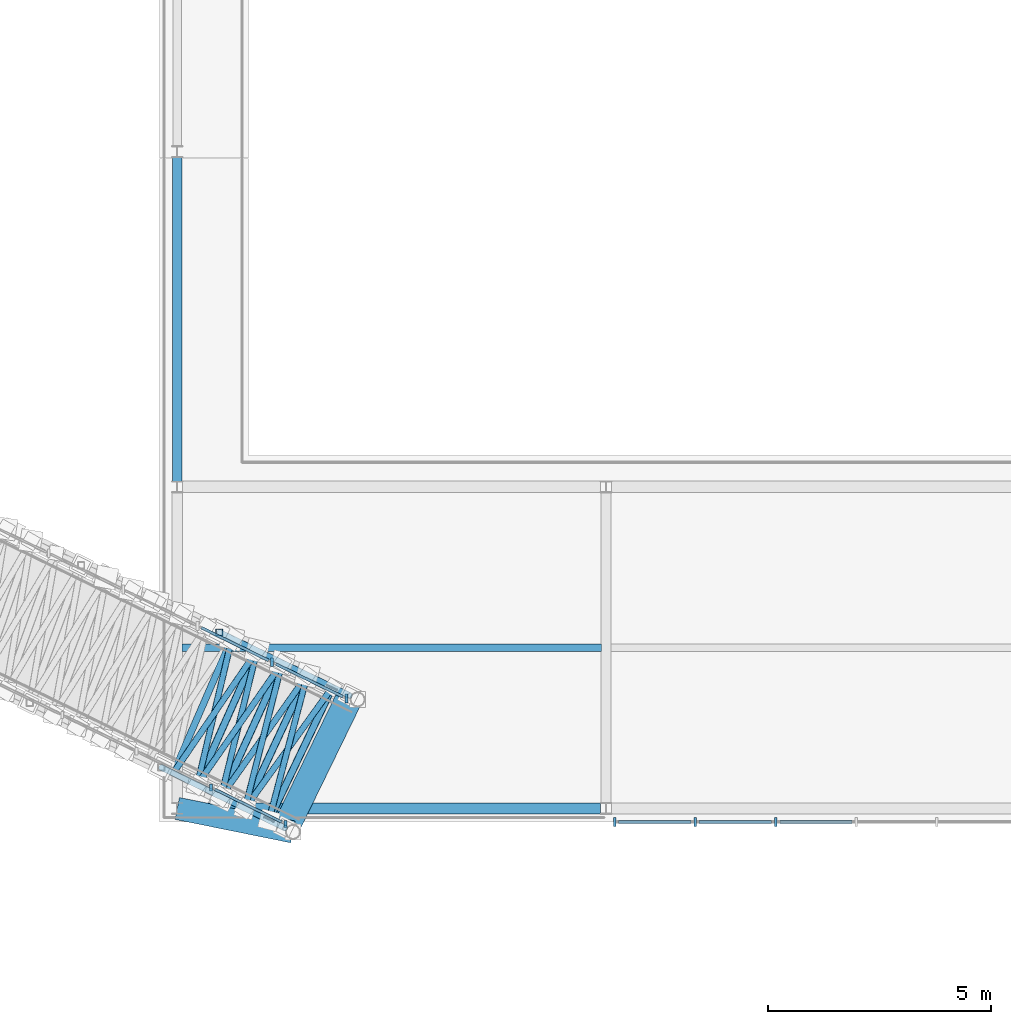
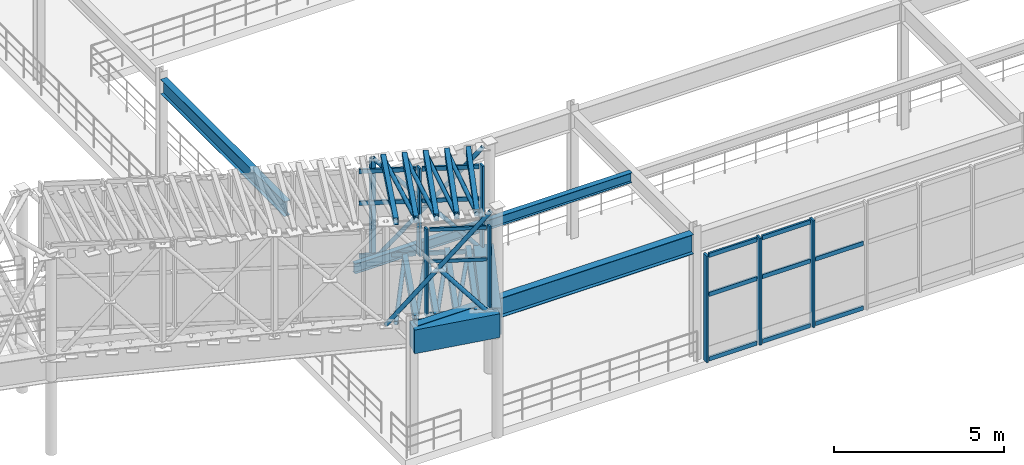
# One storey, part 66 of 144: 43 members, 9 beams, 3 elements without a shape of their own.
"""IFC4 building model written with IfcOpenShell, lengths in metres."""

from ifc_helpers import new_model, si_unit, direction, frame, origin, origin_2d, place, context, subcontext, project, spatial, rectangle, hollow_rectangle, hollow_circle, i_section, extrude, material, material_profile, profile_set, type_object, element, aggregate, save


model = new_model("IFC4")

# Units and contexts
model_context = context("Model", 3, precision=1e-05, world=origin(), true_north=direction((0.0, 1.0)))
body_context = subcontext(model_context, "Body", "Model", "MODEL_VIEW")
ifc_project = project(units=[si_unit("LENGTHUNIT", "METRE"), si_unit("AREAUNIT", "SQUARE_METRE"), si_unit("VOLUMEUNIT", "CUBIC_METRE"), si_unit("PLANEANGLEUNIT", "RADIAN"), si_unit("MASSUNIT", "GRAM", prefix="KILO")], contexts=[model_context])

# Site, building, storey
site_placement = place(None, origin())
site = spatial("IfcSite", under=ifc_project, at=site_placement, CompositionType="ELEMENT")
building_placement = place(site_placement, origin())
building = spatial("IfcBuilding", under=site, at=building_placement, Name="Cinderbank Siding Concert Hall", CompositionType="ELEMENT")
storey_placement = place(building_placement, frame((0.0, 0.0, 5.39990234375)))
storey = spatial("IfcBuildingStorey", under=building, at=storey_placement, Name="L02", CompositionType="ELEMENT", Elevation=5.39990234375)

# Beams
ifc_material_1 = material(Name="Reinforced concrete AS 3600 N50 (50 MPa)", Category="concrete")
ifc_material_profile_1 = material_profile(ifc_material_1, rectangle(XDim=0.5, YDim=0.85009765625, at=origin_2d()), Name="RC-BM-500x850", Category="LoadBearing")
ifc_profile_set_1 = profile_set([ifc_material_profile_1], Name="Reinforced concrete AS 3600 N50 (50 MPa)")
beam_type_1 = type_object("IfcBeamType", Name="BM-RC850 RC-BM-500x850", PredefinedType="BEAM", material=ifc_profile_set_1)
beam_1_placement = place(storey_placement, frame((120.989013671875, 88.074951171875, 4.09521484375), z_axis=(-0.980043898034, 0.198781181016, 0.0), x_axis=(-0.198781181016, -0.980043898034, 0.0)))
element("IfcBeam", 1, at=beam_1_placement, inside=storey, type_object=beam_type_1, Name="L02 Bridge Seat Corbel Beam BM-RC850 #2112", PredefinedType="BEAM", context=body_context, shape_type="SweptSolid", body=[
    extrude(rectangle(XDim=0.5, YDim=0.85009765625, at=origin_2d()), origin(), (0.0, 0.0, 1.0), 2.641845703125),
])
ifc_material_2 = material(Name="Structural steel AS/NZS 3679.1 Grade 350 (340 MPa)", Category="steel")
ifc_material_profile_2 = material_profile(ifc_material_2, i_section(OverallWidth=0.208984375, OverallDepth=0.5283203125, WebThickness=0.009521484375, FlangeThickness=0.01318359375, at=origin_2d()), Name="530UB82.0", Category="LoadBearing")
ifc_profile_set_2 = profile_set([ifc_material_profile_2], Name="Structural steel AS/NZS 3679.1 Grade 350 (340 MPa)")
beam_type_2 = type_object("IfcBeamType", Name="BM-UB530 530UB82.0", PredefinedType="BEAM", material=ifc_profile_set_2)
beam_2_placement = place(storey_placement, frame((118.39990234375, 95.919921875, 4.278076171875), z_axis=(0.0, 1.0, 0.0), x_axis=(-1.0, 0.0, 0.0)))
element("IfcBeam", 2, at=beam_2_placement, inside=storey, type_object=beam_type_2, Name="L02 Beam BM-UB530 #1531", PredefinedType="BEAM", context=body_context, shape_type="SweptSolid", body=[
    extrude(i_section(OverallWidth=0.208984375, OverallDepth=0.5283203125, WebThickness=0.009521484375, FlangeThickness=0.01318359375, at=origin_2d()), origin(), (0.0, 0.0, 1.0), 7.260009765625),
])
ifc_material_3 = material(Name="Structural steel welded plate section AS/NZS 3679.2 / AS/NZS 3678 Grade 350 (340 MPa)", Category="steel")
ifc_material_profile_3 = material_profile(ifc_material_3, i_section(OverallWidth=0.25, OverallDepth=0.699951171875, WebThickness=0.010009765625, FlangeThickness=0.01611328125, at=origin_2d()), Name="700WB130", Category="LoadBearing")
ifc_profile_set_3 = profile_set([ifc_material_profile_3], Name="Structural steel welded plate section AS/NZS 3679.2 / AS/NZS 3678 Grade 350 (340 MPa)")
beam_type_3 = type_object("IfcBeamType", Name="BM-WB700 700WB130", PredefinedType="BEAM", material=ifc_profile_set_3)
beam_3_placement = place(storey_placement, frame((118.52001953125, 88.60009765625, 4.192138671875), z_axis=(1.0, 0.0, 0.0), x_axis=(0.0, 1.0, 0.0)))
element("IfcBeam", 3, at=beam_3_placement, inside=storey, type_object=beam_type_3, Name="L02 Beam BM-WB700 #1528", PredefinedType="BEAM", context=body_context, shape_type="SweptSolid", body=[
    extrude(i_section(OverallWidth=0.25, OverallDepth=0.699951171875, WebThickness=0.010009765625, FlangeThickness=0.01611328125, at=origin_2d()), origin(), (0.0, 0.0, 1.0), 9.35986328125),
])

# Members
ifc_material_4 = material(Name="Structural steel hollow section AS/NZS 1163 Grade C350L0 (350 MPa)", Category="steel")
ifc_material_profile_4 = material_profile(ifc_material_4, hollow_circle(Radius=0.06982421875, WallThickness=0.00634765625, at=origin_2d()), Name="139.7x6.4CHS", Category="LoadBearing")
ifc_profile_set_4 = profile_set([ifc_material_profile_4], Name="Structural steel hollow section AS/NZS 1163 Grade C350L0 (350 MPa)")
member_type_1 = type_object("IfcMemberType", Name="BR-CHS139 139.7x6.4CHS Roof Truss", PredefinedType="BRACE", material=ifc_profile_set_4)
member_1_placement = place(storey_placement, frame((119.342041015625, 92.541748046875, 4.110107421875), z_axis=(0.573514852568, -0.278230392893, 0.770498904837), x_axis=(0.436480008044, 0.899713955976, 0.0)))
element("IfcMember", 4, at=member_1_placement, inside=storey, type_object=member_type_1, Name="L02 Diagonal Brace BR-CHS139 #BRDL-BR-CHS139-L02-0449", PredefinedType="BRACE", context=body_context, shape_type="SweptSolid", body=[
    extrude(hollow_circle(Radius=0.06982421875, WallThickness=0.00634765625, at=origin_2d()), origin(), (0.0, 0.0, 1.0), 5.096435546875),
])
for number, where, z_axis, x_axis, name in (
    (5, (119.342041015625, 92.541748046875, 7.81005859375), (0.614606625924, -0.298106946165, -0.730336185614), (0.436410824374, 0.899747515901, 0.0), "L02 Diagonal Brace BR-CHS139 #BRDL-BR-CHS139-L02-0450"),
    (6, (120.812744140625, 91.828369140625, 6.0625), (0.614587691557, -0.298201089078, -0.730313685932), (0.436533271332, 0.899688114304, 0.0), "L02 Diagonal Brace BR-CHS139 #BRDL-BR-CHS139-L02-0450-S52"),
):
    element("IfcMember", number, at=place(storey_placement, frame(where, z_axis=z_axis, x_axis=x_axis)), inside=storey, type_object=member_type_1, Name=name, PredefinedType="BRACE", context=body_context, shape_type="SweptSolid", body=[
        extrude(hollow_circle(Radius=0.06982421875, WallThickness=0.00634765625, at=origin_2d()), origin(), (0.0, 0.0, 1.0), 2.36279296875),
    ])
member_2_placement = place(storey_placement, frame((118.043212890625, 89.520263671875, 4.110107421875), z_axis=(0.555373819787, -0.272483486668, 0.785692477874), x_axis=(0.440471837187, 0.89776642878, 0.0)))
element("IfcMember", 7, at=member_2_placement, inside=storey, type_object=member_type_1, Name="L02 Diagonal Brace BR-CHS139 #BRDR-BR-CHS139-L02-0461", PredefinedType="BRACE", context=body_context, shape_type="SweptSolid", body=[
    extrude(hollow_circle(Radius=0.06982421875, WallThickness=0.00634765625, at=origin_2d()), origin(), (0.0, 0.0, 1.0), 4.996826171875),
])
member_3_placement = place(storey_placement, frame((119.439697265625, 88.835205078125, 6.06201171875), z_axis=(0.596780400284, -0.292841949564, -0.74705873023), x_axis=(0.440524117547, 0.897740776538, 0.0)))
element("IfcMember", 8, at=member_3_placement, inside=storey, type_object=member_type_1, Name="L02 Diagonal Brace BR-CHS139 #BRDR-BR-CHS139-L02-0462-S56", PredefinedType="BRACE", context=body_context, shape_type="SweptSolid", body=[
    extrude(hollow_circle(Radius=0.06982421875, WallThickness=0.00634765625, at=origin_2d()), origin(), (0.0, 0.0, 1.0), 2.31005859375),
])
member_4_placement = place(storey_placement, frame((118.31103515625, 89.388916015625, 4.161865234375), z_axis=(0.56412669858, 0.82558351851, 0.013149977737), x_axis=(-0.82565490851, 0.564175479841, 0.0)))
element("IfcMember", 9, at=member_4_placement, inside=storey, type_object=member_type_1, Name="L02 Diagonal Brace BR-CHS139 #BRST-BR-CHS139-L02-0513", PredefinedType="BRACE", context=body_context, shape_type="SweptSolid", body=[
    extrude(hollow_circle(Radius=0.06982421875, WallThickness=0.00634765625, at=origin_2d()), origin(), (0.0, 0.0, 1.0), 3.3232421875),
])
member_5_placement = place(storey_placement, frame((119.623291015625, 92.4052734375, 7.802001953125), z_axis=(-0.230445200668, -0.972998896626, 0.012967523081), x_axis=(0.973080715064, -0.230464578559, 0.0)))
element("IfcMember", 10, at=member_5_placement, inside=storey, type_object=member_type_1, Name="L02 Diagonal Brace BR-CHS139 #BRXR-BR-CHS139-L02-0514", PredefinedType="BRACE", context=body_context, shape_type="SweptSolid", body=[
    extrude(hollow_circle(Radius=0.06982421875, WallThickness=0.00634765625, at=origin_2d()), origin(), (0.0, 0.0, 1.0), 3.3701171875),
])
member_6_placement = place(storey_placement, frame((118.8466796875, 89.126220703125, 4.20556640625), z_axis=(0.571038940986, 0.820818074628, 0.013123118556), x_axis=(-0.82088876286, 0.571088118428, 0.0)))
element("IfcMember", 11, at=member_6_placement, inside=storey, type_object=member_type_1, Name="L02 Diagonal Brace BR-CHS139 #BRST-BR-CHS139-L02-0516", PredefinedType="BRACE", context=body_context, shape_type="SweptSolid", body=[
    extrude(hollow_circle(Radius=0.06982421875, WallThickness=0.00634765625, at=origin_2d()), origin(), (0.0, 0.0, 1.0), 3.330078125),
])
member_7_placement = place(storey_placement, frame((120.185791015625, 92.132568359375, 7.845703125), z_axis=(-0.238708820054, -0.971005409884, 0.012907099019), x_axis=(0.971086301443, -0.238728706172, 0.0)))
element("IfcMember", 12, at=member_7_placement, inside=storey, type_object=member_type_1, Name="L02 Diagonal Brace BR-CHS139 #BRXR-BR-CHS139-L02-0517", PredefinedType="BRACE", context=body_context, shape_type="SweptSolid", body=[
    extrude(hollow_circle(Radius=0.06982421875, WallThickness=0.00634765625, at=origin_2d()), origin(), (0.0, 0.0, 1.0), 3.366943359375),
])
member_8_placement = place(storey_placement, frame((119.382080078125, 88.86328125, 4.249267578125), z_axis=(0.577897298944, 0.81600561642, 0.013020977115), x_axis=(-0.816074800398, 0.577946295217, 0.0)))
element("IfcMember", 13, at=member_8_placement, inside=storey, type_object=member_type_1, Name="L02 Diagonal Brace BR-CHS139 #BRST-BR-CHS139-L02-0519", PredefinedType="BRACE", context=body_context, shape_type="SweptSolid", body=[
    extrude(hollow_circle(Radius=0.06982421875, WallThickness=0.00634765625, at=origin_2d()), origin(), (0.0, 0.0, 1.0), 3.33740234375),
])
member_9_placement = place(storey_placement, frame((120.748291015625, 91.859619140625, 7.88916015625), z_axis=(-0.246936080715, -0.968944662396, 0.012992815534), x_axis=(0.969026458104, -0.246956926397, 0.0)))
element("IfcMember", 14, at=member_9_placement, inside=storey, type_object=member_type_1, Name="L02 Diagonal Brace BR-CHS139 #BRXR-BR-CHS139-L02-0520", PredefinedType="BRACE", context=body_context, shape_type="SweptSolid", body=[
    extrude(hollow_circle(Radius=0.06982421875, WallThickness=0.00634765625, at=origin_2d()), origin(), (0.0, 0.0, 1.0), 3.363525390625),
])
member_10_placement = place(storey_placement, frame((119.917724609375, 88.6005859375, 4.292724609375), z_axis=(0.584683537099, 0.811156264051, 0.013064330688), x_axis=(-0.811225495665, 0.584733439426, 0.0)))
element("IfcMember", 15, at=member_10_placement, inside=storey, type_object=member_type_1, Name="L02 Diagonal Brace BR-CHS139 #BRST-BR-CHS139-L02-0522", PredefinedType="BRACE", context=body_context, shape_type="SweptSolid", body=[
    extrude(hollow_circle(Radius=0.06982421875, WallThickness=0.00634765625, at=origin_2d()), origin(), (0.0, 0.0, 1.0), 3.344970703125),
])
member_11_placement = place(storey_placement, frame((121.310791015625, 91.586669921875, 7.932861328125), z_axis=(-0.255161927837, -0.966810869513, 0.013005121037), x_axis=(0.966892639781, -0.255183508748, 0.0)))
element("IfcMember", 16, at=member_11_placement, inside=storey, type_object=member_type_1, Name="L02 Diagonal Brace BR-CHS139 #BRXR-BR-CHS139-L02-0523", PredefinedType="BRACE", context=body_context, shape_type="SweptSolid", body=[
    extrude(hollow_circle(Radius=0.06982421875, WallThickness=0.00634765625, at=origin_2d()), origin(), (0.0, 0.0, 1.0), 3.3603515625),
])
ifc_material_profile_5 = material_profile(ifc_material_4, hollow_rectangle(XDim=0.14990234375, YDim=0.14990234375, WallThickness=0.008056640625, at=origin_2d()), Name="150x150x8.0SHS", Category="LoadBearing")
ifc_profile_set_5 = profile_set([ifc_material_profile_5], Name="Structural steel hollow section AS/NZS 1163 Grade C350L0 (350 MPa)")
member_type_2 = type_object("IfcMemberType", Name="BR-SHS150 150x150x8.0SHS Roof Truss", PredefinedType="BRACE", material=ifc_profile_set_5)
member_12_placement = place(storey_placement, frame((119.342041015625, 92.541748046875, 4.110107421875), z_axis=(0.0, 0.0, 1.0), x_axis=(1.0, 0.0, 0.0)))
element("IfcMember", 17, at=member_12_placement, inside=storey, type_object=member_type_2, Name="L02 Diagonal Brace BR-SHS150 #BRVL-BR-SHS150-L02-0448", PredefinedType="BRACE", context=body_context, shape_type="SweptSolid", body=[
    extrude(hollow_rectangle(XDim=0.14990234375, YDim=0.14990234375, WallThickness=0.008056640625, at=origin_2d()), origin(), (0.0, 0.0, 1.0), 3.699951171875),
])

# Curtain wall, members
ifc_material_5 = material(Name="Anodised aluminium alloy 6063-T6", Category="aluminium")
curtain_wall_type_1 = type_object("IfcCurtainWallType", Name="CW-15 Unitised Acoustic Curtain Wall 12800x3200", PredefinedType="NOTDEFINED", material=ifc_material_5)
curtain_wall_1_placement = place(storey_placement, origin())
curtain_wall_1 = element("IfcCurtainWall", 18, at=curtain_wall_1_placement, inside=storey, type_object=curtain_wall_type_1, Name="L02 Curtain Wall CW-15 #162", PredefinedType="NOTDEFINED")
ifc_material_profile_6 = material_profile(ifc_material_5, rectangle(XDim=0.06005859375, YDim=0.159912109375, at=origin_2d()), Name="ALU-MULL-60x160", Category="LoadBearing")
ifc_profile_set_6 = profile_set([ifc_material_profile_6], Name="Anodised aluminium alloy 6063-T6")
member_type_3 = type_object("IfcMemberType", Name="CW-ML1 Mullion 60x160", PredefinedType="MULLION", material=ifc_profile_set_6)
member_13_placement = place(storey_placement, frame((119.157470703125, 89.06884765625, 4.320068359375), z_axis=(0.0, 0.0, 1.0), x_axis=(1.0, 0.0, 0.0)))
member_13 = element("IfcMember", 19, at=member_13_placement, type_object=member_type_3, Name="CW-L02-162 Mullion 6", PredefinedType="MULLION", context=body_context, shape_type="SweptSolid", body=[
    extrude(rectangle(XDim=0.06005859375, YDim=0.159912109375, at=origin_2d()), origin(), (0.0, 0.0, 1.0), 3.150146484375),
])
member_14_placement = place(storey_placement, frame((120.824951171875, 88.255615234375, 4.320068359375), z_axis=(0.0, 0.0, 1.0), x_axis=(1.0, 0.0, 0.0)))
member_14 = element("IfcMember", 20, at=member_14_placement, type_object=member_type_3, Name="CW-L02-162 Mullion 7", PredefinedType="MULLION", context=body_context, shape_type="SweptSolid", body=[
    extrude(rectangle(XDim=0.06005859375, YDim=0.159912109375, at=origin_2d()), origin(), (0.0, 0.0, 1.0), 3.150146484375),
])

curtain_wall_type_2 = type_object("IfcCurtainWallType", Name="CW-16 Unitised Acoustic Curtain Wall 9200x3800", PredefinedType="NOTDEFINED", material=ifc_material_5)
curtain_wall_2_placement = place(storey_placement, origin())
curtain_wall_2 = element("IfcCurtainWall", 21, at=curtain_wall_2_placement, inside=storey, type_object=curtain_wall_type_2, Name="L02 Curtain Wall CW-16 #151", PredefinedType="NOTDEFINED")
ifc_material_profile_7 = material_profile(ifc_material_5, rectangle(XDim=0.06494140625, YDim=0.199951171875, at=origin_2d()), Name="ALU-MULL-65x200", Category="LoadBearing")
ifc_profile_set_7 = profile_set([ifc_material_profile_7], Name="Anodised aluminium alloy 6063-T6")
member_type_4 = type_object("IfcMemberType", Name="CW-ML2 Mullion 65x200", PredefinedType="MULLION", material=ifc_profile_set_7)
member_15_placement = place(storey_placement, frame((128.193115234375, 88.300048828125, 0.0), z_axis=(0.0, 0.0, 1.0), x_axis=(1.0, 0.0, 0.0)))
member_15 = element("IfcMember", 22, at=member_15_placement, type_object=member_type_4, Name="CW-L02-151 Mullion 0", PredefinedType="MULLION", context=body_context, shape_type="SweptSolid", body=[
    extrude(rectangle(XDim=0.06494140625, YDim=0.199951171875, at=origin_2d()), origin(), (0.0, 0.0, 1.0), 3.8271484375),
])
member_16_placement = place(storey_placement, frame((129.995361328125, 88.300048828125, 0.0), z_axis=(0.0, 0.0, 1.0), x_axis=(1.0, 0.0, 0.0)))
member_16 = element("IfcMember", 23, at=member_16_placement, type_object=member_type_4, Name="CW-L02-151 Mullion 1", PredefinedType="MULLION", context=body_context, shape_type="SweptSolid", body=[
    extrude(rectangle(XDim=0.06494140625, YDim=0.199951171875, at=origin_2d()), origin(), (0.0, 0.0, 1.0), 3.8271484375),
])
member_17_placement = place(storey_placement, frame((131.797607421875, 88.300048828125, 0.0), z_axis=(0.0, 0.0, 1.0), x_axis=(1.0, 0.0, 0.0)))
member_17 = element("IfcMember", 24, at=member_17_placement, type_object=member_type_4, Name="CW-L02-151 Mullion 2", PredefinedType="MULLION", context=body_context, shape_type="SweptSolid", body=[
    extrude(rectangle(XDim=0.06494140625, YDim=0.199951171875, at=origin_2d()), origin(), (0.0, 0.0, 1.0), 3.8271484375),
])

curtain_wall_3_placement = place(storey_placement, origin())
curtain_wall_3 = element("IfcCurtainWall", 25, at=curtain_wall_3_placement, inside=storey, type_object=curtain_wall_type_1, Name="L02 Curtain Wall CW-15 #161", PredefinedType="NOTDEFINED")
member_18_placement = place(storey_placement, frame((120.525146484375, 91.873291015625, 4.320068359375), z_axis=(0.0, 0.0, 1.0), x_axis=(1.0, 0.0, 0.0)))
member_18 = element("IfcMember", 26, at=member_18_placement, type_object=member_type_4, Name="CW-L02-161 Mullion 6", PredefinedType="MULLION", context=body_context, shape_type="SweptSolid", body=[
    extrude(rectangle(XDim=0.06494140625, YDim=0.199951171875, at=origin_2d()), origin(), (0.0, 0.0, 1.0), 3.150146484375),
])
member_19_placement = place(storey_placement, frame((122.192626953125, 91.059814453125, 4.320068359375), z_axis=(0.0, 0.0, 1.0), x_axis=(1.0, 0.0, 0.0)))
member_19 = element("IfcMember", 27, at=member_19_placement, type_object=member_type_4, Name="CW-L02-161 Mullion 7", PredefinedType="MULLION", context=body_context, shape_type="SweptSolid", body=[
    extrude(rectangle(XDim=0.06494140625, YDim=0.199951171875, at=origin_2d()), origin(), (0.0, 0.0, 1.0), 3.150146484375),
])

# Member
ifc_material_profile_8 = material_profile(ifc_material_5, rectangle(XDim=0.06005859375, YDim=0.1201171875, at=origin_2d()), Name="ALU-TRAN-60x120", Category="LoadBearing")
ifc_profile_set_8 = profile_set([ifc_material_profile_8], Name="Anodised aluminium alloy 6063-T6")
member_type_5 = type_object("IfcMemberType", Name="CW-TR1 Transom 60x120", PredefinedType="USERDEFINED", material=ifc_profile_set_8)
member_20_placement = place(storey_placement, frame((119.24072265625, 89.0283203125, 4.380126953125), z_axis=(0.898799359184, -0.438360253593, 0.0), x_axis=(0.438360253593, 0.898799359184, 0.0)))
member_20 = element("IfcMember", 28, at=member_20_placement, type_object=member_type_5, Name="CW-L02-162 Transom 6-0", ObjectType="TRANSOM", PredefinedType="USERDEFINED", context=body_context, shape_type="SweptSolid", body=[
    extrude(rectangle(XDim=0.06005859375, YDim=0.1201171875, at=origin_2d()), origin(), (0.0, 0.0, 1.0), 1.669677734375),
])

member_21_placement = place(storey_placement, frame((119.24072265625, 89.0283203125, 6.273193359375), z_axis=(0.898799359184, -0.438360253593, 0.0), x_axis=(0.438360253593, 0.898799359184, 0.0)))
member_21 = element("IfcMember", 29, at=member_21_placement, type_object=member_type_5, Name="CW-L02-162 Transom 6-1", ObjectType="TRANSOM", PredefinedType="USERDEFINED", context=body_context, shape_type="SweptSolid", body=[
    extrude(rectangle(XDim=0.06005859375, YDim=0.1201171875, at=origin_2d()), origin(), (0.0, 0.0, 1.0), 1.669677734375),
])

member_22_placement = place(storey_placement, frame((119.24072265625, 89.0283203125, 7.41015625), z_axis=(0.898799359184, -0.438360253593, 0.0), x_axis=(0.438360253593, 0.898799359184, 0.0)))
member_22 = element("IfcMember", 30, at=member_22_placement, type_object=member_type_5, Name="CW-L02-162 Transom 6-2", ObjectType="TRANSOM", PredefinedType="USERDEFINED", context=body_context, shape_type="SweptSolid", body=[
    extrude(rectangle(XDim=0.06005859375, YDim=0.1201171875, at=origin_2d()), origin(), (0.0, 0.0, 1.0), 1.669677734375),
])

aggregate(curtain_wall_1, [member_13, member_14, member_20, member_21, member_22])

ifc_material_profile_9 = material_profile(ifc_material_5, rectangle(XDim=0.06494140625, YDim=0.14990234375, at=origin_2d()), Name="ALU-TRAN-65x150", Category="LoadBearing")
ifc_profile_set_9 = profile_set([ifc_material_profile_9], Name="Anodised aluminium alloy 6063-T6")
member_type_6 = type_object("IfcMemberType", Name="CW-TR2 Transom 65x150", PredefinedType="USERDEFINED", material=ifc_profile_set_9)
member_23_placement = place(storey_placement, frame((128.283203125, 88.300048828125, 0.06005859375), z_axis=(1.0, 0.0, 0.0), x_axis=(0.0, 1.0, 0.0)))
member_23 = element("IfcMember", 31, at=member_23_placement, type_object=member_type_6, Name="CW-L02-151 Transom 0-0", ObjectType="TRANSOM", PredefinedType="USERDEFINED", context=body_context, shape_type="SweptSolid", body=[
    extrude(rectangle(XDim=0.06494140625, YDim=0.14990234375, at=origin_2d()), origin(), (0.0, 0.0, 1.0), 1.6220703125),
])

member_24_placement = place(storey_placement, frame((128.283203125, 88.300048828125, 2.372802734375), z_axis=(1.0, 0.0, 0.0), x_axis=(0.0, 1.0, 0.0)))
member_24 = element("IfcMember", 32, at=member_24_placement, type_object=member_type_6, Name="CW-L02-151 Transom 0-1", ObjectType="TRANSOM", PredefinedType="USERDEFINED", context=body_context, shape_type="SweptSolid", body=[
    extrude(rectangle(XDim=0.06494140625, YDim=0.14990234375, at=origin_2d()), origin(), (0.0, 0.0, 1.0), 1.6220703125),
])

member_25_placement = place(storey_placement, frame((128.283203125, 88.300048828125, 3.76708984375), z_axis=(1.0, 0.0, 0.0), x_axis=(0.0, 1.0, 0.0)))
member_25 = element("IfcMember", 33, at=member_25_placement, type_object=member_type_6, Name="CW-L02-151 Transom 0-2", ObjectType="TRANSOM", PredefinedType="USERDEFINED", context=body_context, shape_type="SweptSolid", body=[
    extrude(rectangle(XDim=0.06494140625, YDim=0.14990234375, at=origin_2d()), origin(), (0.0, 0.0, 1.0), 1.6220703125),
])

member_26_placement = place(storey_placement, frame((130.08544921875, 88.300048828125, 0.06005859375), z_axis=(1.0, 0.0, 0.0), x_axis=(0.0, 1.0, 0.0)))
member_26 = element("IfcMember", 34, at=member_26_placement, type_object=member_type_6, Name="CW-L02-151 Transom 1-0", ObjectType="TRANSOM", PredefinedType="USERDEFINED", context=body_context, shape_type="SweptSolid", body=[
    extrude(rectangle(XDim=0.06494140625, YDim=0.14990234375, at=origin_2d()), origin(), (0.0, 0.0, 1.0), 1.6220703125),
])

member_27_placement = place(storey_placement, frame((130.08544921875, 88.300048828125, 2.372802734375), z_axis=(1.0, 0.0, 0.0), x_axis=(0.0, 1.0, 0.0)))
member_27 = element("IfcMember", 35, at=member_27_placement, type_object=member_type_6, Name="CW-L02-151 Transom 1-1", ObjectType="TRANSOM", PredefinedType="USERDEFINED", context=body_context, shape_type="SweptSolid", body=[
    extrude(rectangle(XDim=0.06494140625, YDim=0.14990234375, at=origin_2d()), origin(), (0.0, 0.0, 1.0), 1.6220703125),
])

member_28_placement = place(storey_placement, frame((130.08544921875, 88.300048828125, 3.76708984375), z_axis=(1.0, 0.0, 0.0), x_axis=(0.0, 1.0, 0.0)))
member_28 = element("IfcMember", 36, at=member_28_placement, type_object=member_type_6, Name="CW-L02-151 Transom 1-2", ObjectType="TRANSOM", PredefinedType="USERDEFINED", context=body_context, shape_type="SweptSolid", body=[
    extrude(rectangle(XDim=0.06494140625, YDim=0.14990234375, at=origin_2d()), origin(), (0.0, 0.0, 1.0), 1.6220703125),
])

member_29_placement = place(storey_placement, frame((131.8876953125, 88.300048828125, 0.06005859375), z_axis=(1.0, 0.0, 0.0), x_axis=(0.0, 1.0, 0.0)))
member_29 = element("IfcMember", 37, at=member_29_placement, type_object=member_type_6, Name="CW-L02-151 Transom 2-0", ObjectType="TRANSOM", PredefinedType="USERDEFINED", context=body_context, shape_type="SweptSolid", body=[
    extrude(rectangle(XDim=0.06494140625, YDim=0.14990234375, at=origin_2d()), origin(), (0.0, 0.0, 1.0), 1.622314453125),
])

member_30_placement = place(storey_placement, frame((131.8876953125, 88.300048828125, 2.372802734375), z_axis=(1.0, 0.0, 0.0), x_axis=(0.0, 1.0, 0.0)))
member_30 = element("IfcMember", 38, at=member_30_placement, type_object=member_type_6, Name="CW-L02-151 Transom 2-1", ObjectType="TRANSOM", PredefinedType="USERDEFINED", context=body_context, shape_type="SweptSolid", body=[
    extrude(rectangle(XDim=0.06494140625, YDim=0.14990234375, at=origin_2d()), origin(), (0.0, 0.0, 1.0), 1.622314453125),
])

aggregate(curtain_wall_2, [member_15, member_16, member_17, member_23, member_24, member_25, member_26, member_27, member_28, member_29, member_30])

member_31_placement = place(storey_placement, frame((118.941162109375, 92.645751953125, 4.380126953125), z_axis=(0.898799359184, -0.438360253593, 0.0), x_axis=(0.438360253593, 0.898799359184, 0.0)))
member_31 = element("IfcMember", 39, at=member_31_placement, type_object=member_type_6, Name="CW-L02-161 Transom 5-0", ObjectType="TRANSOM", PredefinedType="USERDEFINED", context=body_context, shape_type="SweptSolid", body=[
    extrude(rectangle(XDim=0.06494140625, YDim=0.14990234375, at=origin_2d()), origin(), (0.0, 0.0, 1.0), 1.669677734375),
])

member_32_placement = place(storey_placement, frame((118.941162109375, 92.645751953125, 6.273193359375), z_axis=(0.898799359184, -0.438360253593, 0.0), x_axis=(0.438360253593, 0.898799359184, 0.0)))
member_32 = element("IfcMember", 40, at=member_32_placement, type_object=member_type_6, Name="CW-L02-161 Transom 5-1", ObjectType="TRANSOM", PredefinedType="USERDEFINED", context=body_context, shape_type="SweptSolid", body=[
    extrude(rectangle(XDim=0.06494140625, YDim=0.14990234375, at=origin_2d()), origin(), (0.0, 0.0, 1.0), 1.669677734375),
])

member_33_placement = place(storey_placement, frame((118.941162109375, 92.645751953125, 7.41015625), z_axis=(0.898799359184, -0.438360253593, 0.0), x_axis=(0.438360253593, 0.898799359184, 0.0)))
member_33 = element("IfcMember", 41, at=member_33_placement, type_object=member_type_6, Name="CW-L02-161 Transom 5-2", ObjectType="TRANSOM", PredefinedType="USERDEFINED", context=body_context, shape_type="SweptSolid", body=[
    extrude(rectangle(XDim=0.06494140625, YDim=0.14990234375, at=origin_2d()), origin(), (0.0, 0.0, 1.0), 1.669677734375),
])

member_34_placement = place(storey_placement, frame((120.6083984375, 91.83251953125, 4.380126953125), z_axis=(0.898799359184, -0.438360253593, 0.0), x_axis=(0.438360253593, 0.898799359184, 0.0)))
member_34 = element("IfcMember", 42, at=member_34_placement, type_object=member_type_6, Name="CW-L02-161 Transom 6-0", ObjectType="TRANSOM", PredefinedType="USERDEFINED", context=body_context, shape_type="SweptSolid", body=[
    extrude(rectangle(XDim=0.06494140625, YDim=0.14990234375, at=origin_2d()), origin(), (0.0, 0.0, 1.0), 1.669677734375),
])

member_35_placement = place(storey_placement, frame((120.6083984375, 91.83251953125, 6.273193359375), z_axis=(0.898799359184, -0.438360253593, 0.0), x_axis=(0.438360253593, 0.898799359184, 0.0)))
member_35 = element("IfcMember", 43, at=member_35_placement, type_object=member_type_6, Name="CW-L02-161 Transom 6-1", ObjectType="TRANSOM", PredefinedType="USERDEFINED", context=body_context, shape_type="SweptSolid", body=[
    extrude(rectangle(XDim=0.06494140625, YDim=0.14990234375, at=origin_2d()), origin(), (0.0, 0.0, 1.0), 1.669677734375),
])

member_36_placement = place(storey_placement, frame((120.6083984375, 91.83251953125, 7.41015625), z_axis=(0.898799359184, -0.438360253593, 0.0), x_axis=(0.438360253593, 0.898799359184, 0.0)))
member_36 = element("IfcMember", 44, at=member_36_placement, type_object=member_type_6, Name="CW-L02-161 Transom 6-2", ObjectType="TRANSOM", PredefinedType="USERDEFINED", context=body_context, shape_type="SweptSolid", body=[
    extrude(rectangle(XDim=0.06494140625, YDim=0.14990234375, at=origin_2d()), origin(), (0.0, 0.0, 1.0), 1.669677734375),
])

aggregate(curtain_wall_3, [member_18, member_19, member_31, member_32, member_33, member_34, member_35, member_36])

# Beams
ifc_material_profile_10 = material_profile(ifc_material_2, i_section(OverallWidth=0.1650390625, OverallDepth=0.303955078125, WebThickness=0.006103515625, FlangeThickness=0.01025390625, at=origin_2d()), Name="310UB40.4", Category="LoadBearing")
ifc_profile_set_10 = profile_set([ifc_material_profile_10], Name="Structural steel AS/NZS 3679.1 Grade 350 (340 MPa)")
beam_type_4 = type_object("IfcBeamType", Name="JS-UB310 310UB40.4", PredefinedType="JOIST", material=ifc_profile_set_10)
beam_4_placement = place(storey_placement, frame((118.8466796875, 89.126220703125, 4.253662109375), z_axis=(0.406888562109, 0.913477803794, 0.0), x_axis=(-0.913477803794, 0.406888562109, 0.0)))
element("IfcBeam", 45, at=beam_4_placement, inside=storey, type_object=beam_type_4, Name="L02 Beam JS-UB310 #2029", PredefinedType="JOIST", context=body_context, shape_type="SweptSolid", body=[
    extrude(i_section(OverallWidth=0.1650390625, OverallDepth=0.303955078125, WebThickness=0.006103515625, FlangeThickness=0.01025390625, at=origin_2d()), origin(), (0.0, 0.0, 1.0), 3.291015625),
])
beam_5_placement = place(storey_placement, frame((119.382080078125, 88.86328125, 4.297119140625), z_axis=(0.414869519137, 0.909880916434, 0.0), x_axis=(-0.909880916434, 0.414869519137, 0.0)))
element("IfcBeam", 46, at=beam_5_placement, inside=storey, type_object=beam_type_4, Name="L02 Beam JS-UB310 #2030", PredefinedType="JOIST", context=body_context, shape_type="SweptSolid", body=[
    extrude(i_section(OverallWidth=0.1650390625, OverallDepth=0.303955078125, WebThickness=0.006103515625, FlangeThickness=0.01025390625, at=origin_2d()), origin(), (0.0, 0.0, 1.0), 3.293212890625),
])
beam_6_placement = place(storey_placement, frame((119.917724609375, 88.6005859375, 4.3408203125), z_axis=(0.422775944884, 0.906234241478, 0.0), x_axis=(-0.906234241478, 0.422775944884, 0.0)))
element("IfcBeam", 47, at=beam_6_placement, inside=storey, type_object=beam_type_4, Name="L02 Beam JS-UB310 #2031", PredefinedType="JOIST", context=body_context, shape_type="SweptSolid", body=[
    extrude(i_section(OverallWidth=0.1650390625, OverallDepth=0.303955078125, WebThickness=0.006103515625, FlangeThickness=0.01025390625, at=origin_2d()), origin(), (0.0, 0.0, 1.0), 3.295166015625),
])
beam_7_placement = place(storey_placement, frame((120.453369140625, 88.337890625, 4.384521484375), z_axis=(0.430672025392, 0.902508507741, 0.0), x_axis=(-0.902508507741, 0.430672025392, 0.0)))
element("IfcBeam", 48, at=beam_7_placement, inside=storey, type_object=beam_type_4, Name="L02 Beam JS-UB310 #2032", PredefinedType="JOIST", context=body_context, shape_type="SweptSolid", body=[
    extrude(i_section(OverallWidth=0.1650390625, OverallDepth=0.303955078125, WebThickness=0.006103515625, FlangeThickness=0.01025390625, at=origin_2d()), origin(), (0.0, 0.0, 1.0), 3.297607421875),
])
ifc_material_profile_11 = material_profile(ifc_material_2, i_section(OverallWidth=0.1708984375, OverallDepth=0.35205078125, WebThickness=0.0068359375, FlangeThickness=0.009765625, at=origin_2d()), Name="360UB44.7", Category="LoadBearing")
ifc_profile_set_11 = profile_set([ifc_material_profile_11], Name="Structural steel AS/NZS 3679.1 Grade 350 (340 MPa)")
beam_type_5 = type_object("IfcBeamType", Name="JS-UB360 360UB44.7", PredefinedType="JOIST", material=ifc_profile_set_11)
beam_8_placement = place(storey_placement, frame((118.506103515625, 92.199951171875, 4.3662109375), z_axis=(1.0, 0.0, 0.0), x_axis=(0.0, 1.0, 0.0)))
element("IfcBeam", 49, at=beam_8_placement, inside=storey, type_object=beam_type_5, Name="L02 Beam JS-UB360 #1666", PredefinedType="JOIST", context=body_context, shape_type="SweptSolid", body=[
    extrude(i_section(OverallWidth=0.1708984375, OverallDepth=0.35205078125, WebThickness=0.0068359375, FlangeThickness=0.009765625, at=origin_2d()), origin(), (0.0, 0.0, 1.0), 9.387939453125),
])

# Members
ifc_material_profile_12 = material_profile(ifc_material_4, hollow_rectangle(XDim=0.14990234375, YDim=0.25, WallThickness=0.009033203125, at=origin_2d()), Name="250x150x9.0RHS", Category="LoadBearing")
ifc_profile_set_12 = profile_set([ifc_material_profile_12], Name="Structural steel hollow section AS/NZS 1163 Grade C350L0 (350 MPa)")
member_type_7 = type_object("IfcMemberType", Name="PR-RHS250 250x150x9.0RHS Roof Truss", PredefinedType="PURLIN", material=ifc_profile_set_12)
member_37_placement = place(storey_placement, frame((118.31103515625, 89.388916015625, 7.802001953125), z_axis=(0.398929644652, 0.916981536683, 0.0), x_axis=(-0.916981536683, 0.398929644652, 0.0)))
element("IfcMember", 50, at=member_37_placement, inside=storey, type_object=member_type_7, Name="L02 Roof Truss Member PR-RHS250 #509", PredefinedType="PURLIN", context=body_context, shape_type="SweptSolid", body=[
    extrude(hollow_rectangle(XDim=0.14990234375, YDim=0.25, WallThickness=0.009033203125, at=origin_2d()), origin(), (0.0, 0.0, 1.0), 3.28955078125),
])
member_38_placement = place(storey_placement, frame((118.8466796875, 89.126220703125, 7.845703125), z_axis=(0.406888562109, 0.913477803794, 0.0), x_axis=(-0.913477803794, 0.406888562109, 0.0)))
element("IfcMember", 51, at=member_38_placement, inside=storey, type_object=member_type_7, Name="L02 Roof Truss Member PR-RHS250 #512", PredefinedType="PURLIN", context=body_context, shape_type="SweptSolid", body=[
    extrude(hollow_rectangle(XDim=0.14990234375, YDim=0.25, WallThickness=0.009033203125, at=origin_2d()), origin(), (0.0, 0.0, 1.0), 3.291015625),
])
member_39_placement = place(storey_placement, frame((119.382080078125, 88.86328125, 7.88916015625), z_axis=(0.414869519137, 0.909880916434, 0.0), x_axis=(-0.909880916434, 0.414869519137, 0.0)))
element("IfcMember", 52, at=member_39_placement, inside=storey, type_object=member_type_7, Name="L02 Roof Truss Member PR-RHS250 #515", PredefinedType="PURLIN", context=body_context, shape_type="SweptSolid", body=[
    extrude(hollow_rectangle(XDim=0.14990234375, YDim=0.25, WallThickness=0.009033203125, at=origin_2d()), origin(), (0.0, 0.0, 1.0), 3.293212890625),
])
member_40_placement = place(storey_placement, frame((119.917724609375, 88.6005859375, 7.932861328125), z_axis=(0.422775944884, 0.906234241478, 0.0), x_axis=(-0.906234241478, 0.422775944884, 0.0)))
element("IfcMember", 53, at=member_40_placement, inside=storey, type_object=member_type_7, Name="L02 Roof Truss Member PR-RHS250 #518", PredefinedType="PURLIN", context=body_context, shape_type="SweptSolid", body=[
    extrude(hollow_rectangle(XDim=0.14990234375, YDim=0.25, WallThickness=0.009033203125, at=origin_2d()), origin(), (0.0, 0.0, 1.0), 3.295166015625),
])
member_41_placement = place(storey_placement, frame((120.464111328125, 88.3603515625, 7.9765625), z_axis=(0.430689229917, 0.902500297636, 0.0), x_axis=(-0.902500297636, 0.430689229917, 0.0)))
element("IfcMember", 54, at=member_41_placement, inside=storey, type_object=member_type_7, Name="L02 Roof Truss Member PR-RHS250 #521", PredefinedType="PURLIN", context=body_context, shape_type="SweptSolid", body=[
    extrude(hollow_rectangle(XDim=0.14990234375, YDim=0.25, WallThickness=0.009033203125, at=origin_2d()), origin(), (0.0, 0.0, 1.0), 3.24755859375),
])

# Beam
ifc_material_profile_13 = material_profile(ifc_material_1, rectangle(XDim=0.60009765625, YDim=0.949951171875, at=origin_2d()), Name="RC-RING-600x950", Category="LoadBearing")
ifc_profile_set_13 = profile_set([ifc_material_profile_13], Name="Reinforced concrete AS 3600 N50 (50 MPa)")
beam_type_6 = type_object("IfcBeamType", Name="RB-RC950 RC-RING-600x950", PredefinedType="BEAM", material=ifc_profile_set_13)
beam_9_placement = place(storey_placement, frame((122.27392578125, 91.1201171875, 4.085205078125), z_axis=(-0.438462984212, -0.898749248387, 0.0), x_axis=(0.898749248387, -0.438462984212, 0.0)))
element("IfcBeam", 55, at=beam_9_placement, inside=storey, type_object=beam_type_6, Name="L02 Bridge Seat Corbel Beam RB-RC950 #2111", PredefinedType="BEAM", context=body_context, shape_type="SweptSolid", body=[
    extrude(rectangle(XDim=0.60009765625, YDim=0.949951171875, at=origin_2d()), origin(), (0.0, 0.0, 1.0), 3.30029296875),
])

save(model, "model.ifc")
